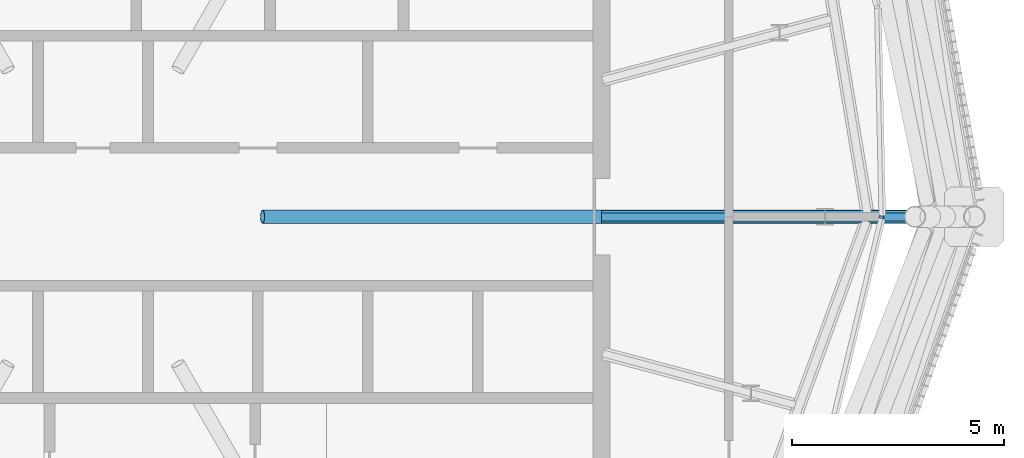
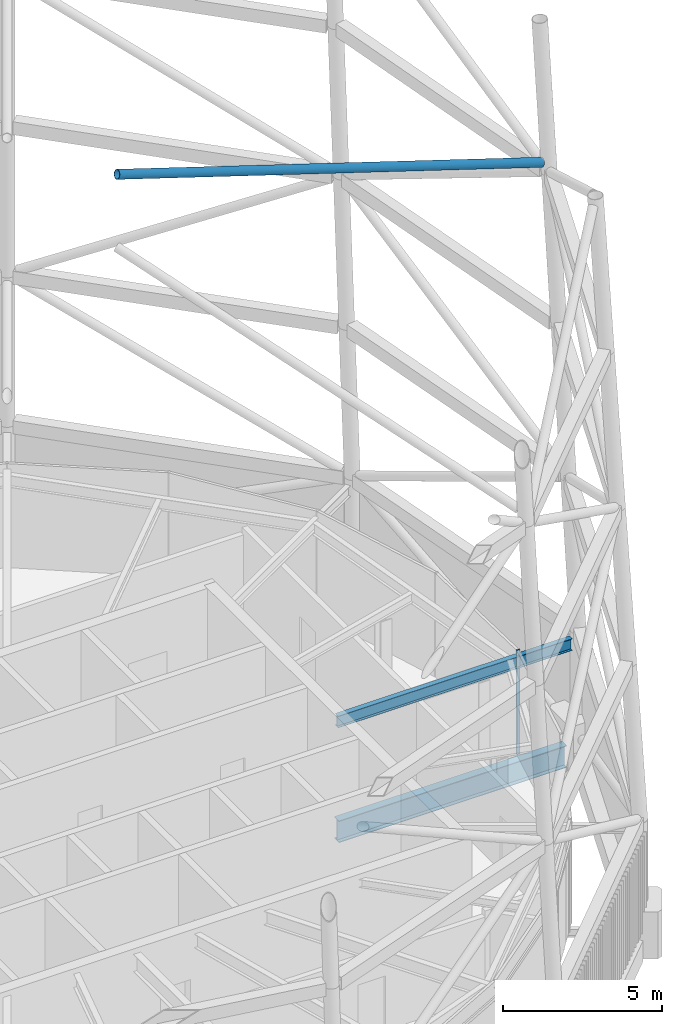
# One storey, part 52 of 71: 2 beams, 2 members, 1 element without a shape of its own.
"""IFC4 building model written with IfcOpenShell, lengths in metres."""

from ifc_helpers import new_model, si_unit, direction, frame, origin, origin_2d, place, context, subcontext, project, spatial, rectangle, hollow_circle, i_section, extrude, material, material_profile, profile_set, type_object, element, aggregate, save


model = new_model("IFC4")

# Units and contexts
model_context = context("Model", 3, precision=1e-05, world=origin(), true_north=direction((0.0, 1.0)))
body_context = subcontext(model_context, "Body", "Model", "MODEL_VIEW")
ifc_project = project(units=[si_unit("LENGTHUNIT", "METRE"), si_unit("AREAUNIT", "SQUARE_METRE"), si_unit("VOLUMEUNIT", "CUBIC_METRE"), si_unit("PLANEANGLEUNIT", "RADIAN"), si_unit("MASSUNIT", "GRAM", prefix="KILO")], contexts=[model_context])

# Site, building, storey
site_placement = place(None, origin())
site = spatial("IfcSite", under=ifc_project, at=site_placement, CompositionType="ELEMENT")
building_placement = place(site_placement, origin())
building = spatial("IfcBuilding", under=site, at=building_placement, Name="Rimbun Link Towers", CompositionType="ELEMENT")
storey_placement = place(building_placement, frame((0.0, 0.0, 267.60009765625)))
storey = spatial("IfcBuildingStorey", under=building, at=storey_placement, Name="L65", CompositionType="ELEMENT", Elevation=267.60009765625)

# Curtain wall, member
ifc_material_1 = material(Name="Aluminium 6063-T6 louvre wall", Category="aluminium")
curtain_wall_type = type_object("IfcCurtainWallType", Name="CW6 plant floor louvre wall", PredefinedType="NOTDEFINED", material=ifc_material_1)
curtain_wall_placement = place(storey_placement, origin())
curtain_wall = element("IfcCurtainWall", 1, at=curtain_wall_placement, inside=storey, type_object=curtain_wall_type, Name="CW6 L65 T2", PredefinedType="NOTDEFINED")
ifc_material_2 = material(Name="Aluminium 6063-T6", Category="aluminium")
ifc_material_profile_1 = material_profile(ifc_material_2, rectangle(XDim=0.1201171875, YDim=0.06005859375, at=origin_2d()), Name="MULLION 60X120")
ifc_profile_set_1 = profile_set([ifc_material_profile_1], Name="Aluminium 6063-T6")
member_type_1 = type_object("IfcMemberType", Name="CW6 mullion 60X120", PredefinedType="MULLION", material=ifc_profile_set_1)
member_1_placement = place(storey_placement, frame((50.35009765625, -0.00634765625, 0.0), z_axis=(0.0, 0.0, 1.0), x_axis=(0.99429762621, -0.10664066069, 0.0)))
member_1 = element("IfcMember", 2, at=member_1_placement, type_object=member_type_1, Name="CW6 mullion", PredefinedType="MULLION", context=body_context, shape_type="SweptSolid", body=[
    extrude(rectangle(XDim=0.1201171875, YDim=0.06005859375, at=origin_2d()), origin(), (0.0, 0.0, 1.0), 4.0),
])
aggregate(curtain_wall, [member_1])

# Member
ifc_material_3 = material(Name="Steel S355J2H", Category="steel")
ifc_material_profile_2 = material_profile(ifc_material_3, hollow_circle(Radius=0.161865234375, WallThickness=0.011962890625, at=origin_2d()), Name="Crown frame brace CHS 324x12")
ifc_profile_set_2 = profile_set([ifc_material_profile_2], Name="Steel S355J2H")
member_type_2 = type_object("IfcMemberType", Name="Crown frame brace CHS 324x12", PredefinedType="BRACE", material=ifc_profile_set_2)
member_2_placement = place(storey_placement, frame((35.75, 0.0, 27.39990234375), z_axis=(0.952412451042, 0.0, -0.304812275179), x_axis=(0.0, 1.0, 0.0)))
element("IfcMember", 3, at=member_2_placement, inside=storey, type_object=member_type_2, Name="CROWN FRAME hub stay T2 10", PredefinedType="BRACE", context=body_context, shape_type="SweptSolid", body=[
    extrude(hollow_circle(Radius=0.161865234375, WallThickness=0.011962890625, at=origin_2d()), origin(), (0.0, 0.0, 1.0), 16.2392578125),
])

# Beams
ifc_material_4 = material(Name="Steel S355J2", Category="steel")
ifc_material_profile_3 = material_profile(ifc_material_4, i_section(OverallWidth=0.18994140625, OverallDepth=0.453369140625, WebThickness=0.008544921875, FlangeThickness=0.0126953125, at=origin_2d()), Name="UB 457x191x67")
ifc_profile_set_3 = profile_set([ifc_material_profile_3], Name="Steel S355J2")
beam_type_1 = type_object("IfcBeamType", Name="UB 457x191x67", PredefinedType="BEAM", material=ifc_profile_set_3)
beam_1_placement = place(storey_placement, frame((43.7509765625, 0.0, 3.5732421875), z_axis=(1.0, 0.0, 0.0), x_axis=(0.0, 1.0, 0.0)))
element("IfcBeam", 4, at=beam_1_placement, inside=storey, type_object=beam_type_1, Name="Radial beam T2 L65 21", PredefinedType="BEAM", context=body_context, shape_type="SweptSolid", body=[
    extrude(i_section(OverallWidth=0.18994140625, OverallDepth=0.453369140625, WebThickness=0.008544921875, FlangeThickness=0.0126953125, at=origin_2d()), origin(), (0.0, 0.0, 1.0), 8.529541015625),
])
ifc_material_5 = material(Name="Steel S355J2", Category="steel")
ifc_material_profile_4 = material_profile(ifc_material_5, i_section(OverallWidth=0.29248046875, OverallDepth=0.8408203125, WebThickness=0.0126953125, FlangeThickness=0.021728515625, at=origin_2d()), Name="UB 838x292x194")
ifc_profile_set_4 = profile_set([ifc_material_profile_4], Name="Steel S355J2")
beam_type_2 = type_object("IfcBeamType", Name="UB 838x292x194", PredefinedType="BEAM", material=ifc_profile_set_4)
beam_2_placement = place(storey_placement, frame((43.7509765625, 0.0, -0.620361328125), z_axis=(1.0, 0.0, 0.0), x_axis=(0.0, 1.0, 0.0)))
element("IfcBeam", 5, at=beam_2_placement, inside=storey, type_object=beam_type_2, Name="Radial beam T2 L65 21", PredefinedType="BEAM", context=body_context, shape_type="SweptSolid", body=[
    extrude(i_section(OverallWidth=0.29248046875, OverallDepth=0.8408203125, WebThickness=0.0126953125, FlangeThickness=0.021728515625, at=origin_2d()), origin(), (0.0, 0.0, 1.0), 8.28955078125),
])

save(model, "model.ifc")
